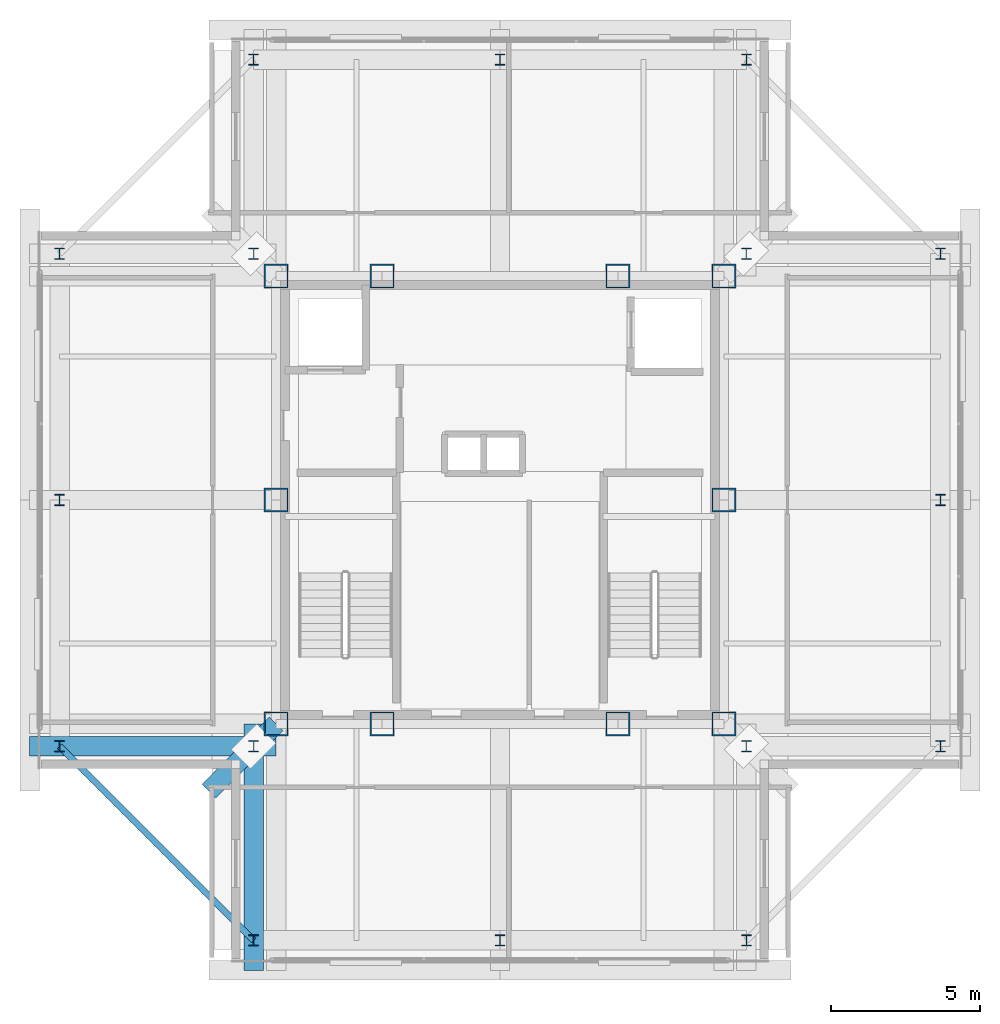
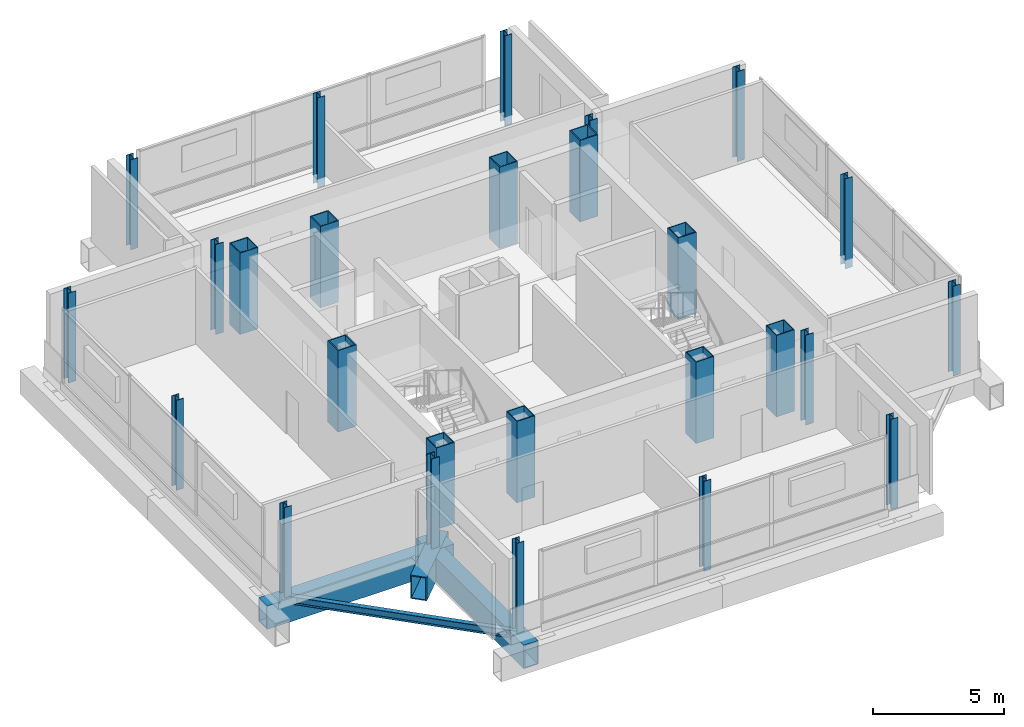
# One storey, part 1 of 10: 26 columns, 4 beams.
"""IFC4 building model written with IfcOpenShell, lengths in metres."""

from ifc_helpers import new_model, si_unit, direction, frame, origin, origin_2d, place, context, subcontext, project, spatial, hollow_rectangle, i_section, extrude, material, material_profile, profile_set, type_object, element, save


model = new_model("IFC4")

# Units and contexts
model_context = context("Model", 3, precision=1e-05, world=origin(), true_north=direction((0.0, 1.0)))
body_context = subcontext(model_context, "Body", "Model", "MODEL_VIEW")
ifc_project = project(units=[si_unit("LENGTHUNIT", "METRE"), si_unit("AREAUNIT", "SQUARE_METRE"), si_unit("VOLUMEUNIT", "CUBIC_METRE"), si_unit("PLANEANGLEUNIT", "RADIAN"), si_unit("MASSUNIT", "GRAM", prefix="KILO")], contexts=[model_context])

# Site, building, storey
site_placement = place(None, origin())
site = spatial("IfcSite", under=ifc_project, at=site_placement, CompositionType="ELEMENT")
building_placement = place(site_placement, origin())
building = spatial("IfcBuilding", under=site, at=building_placement, Name="Trevonay Congress Spire", CompositionType="ELEMENT")
storey_placement = place(building_placement, frame((0.0, 0.0, 316.0)))
storey = spatial("IfcBuildingStorey", under=building, at=storey_placement, Name="L83", CompositionType="ELEMENT", Elevation=316.0)

# Columns
ifc_material = material(Name="Steel ASTM A572 Grade 50", Category="steel")
ifc_material_profile_1 = material_profile(ifc_material, hollow_rectangle(XDim=0.800048828125, YDim=0.800048828125, WallThickness=0.0400390625, at=origin_2d()), Name="BOX 800x800x40")
ifc_profile_set_1 = profile_set([ifc_material_profile_1], Name="Steel ASTM A572 Grade 50")
column_type_1 = type_object("IfcColumnType", Name="COL-CORE-BOX800", PredefinedType="COLUMN", material=ifc_profile_set_1)
for number, where, z_axis, x_axis, name in (
    (1, (-7.5, -7.5, 0.0), (0.0, 0.0, 1.0), (1.0, 0.0, 0.0), "L83 column C05 at CC-SW"),
    (2, (-3.949951171875, -7.5, 0.0), (0.0, 0.0, 1.0), (1.0, 0.0, 0.0), "L83 column C05 at CC-SMW"),
    (3, (3.949951171875, -7.5, 0.0), (0.0, 0.0, 1.0), (1.0, 0.0, 0.0), "L83 column C05 at CC-SME"),
    (4, (7.5, -7.5, 0.0), (0.0, 0.0, 1.0), (1.0, 0.0, 0.0), "L83 column C05 at CC-SE"),
    (5, (7.5, 0.0, 0.0), (0.0, 0.0, 1.0), (1.0, 0.0, 0.0), "L83 column C05 at CC-E"),
    (6, (7.5, 7.5, 0.0), (0.0, 0.0, 1.0), (1.0, 0.0, 0.0), "L83 column C05 at CC-NE"),
    (7, (3.949951171875, 7.5, 0.0), (0.0, 0.0, 1.0), (1.0, 0.0, 0.0), "L83 column C05 at CC-NME"),
    (8, (-3.949951171875, 7.5, 0.0), (0.0, 0.0, 1.0), (1.0, 0.0, 0.0), "L83 column C05 at CC-NMW"),
    (9, (-7.5, 7.5, 0.0), (0.0, 0.0, 1.0), (1.0, 0.0, 0.0), "L83 column C05 at CC-NW"),
    (10, (-7.5, 0.0, 0.0), (0.0, 0.0, 1.0), (1.0, 0.0, 0.0), "L83 column C05 at CC-W"),
):
    element("IfcColumn", number, at=place(storey_placement, frame(where, z_axis=z_axis, x_axis=x_axis)), inside=storey, type_object=column_type_1, Name=name, PredefinedType="COLUMN", context=body_context, shape_type="SweptSolid", body=[
        extrude(hollow_rectangle(XDim=0.800048828125, YDim=0.800048828125, WallThickness=0.0400390625, at=origin_2d()), origin(), (0.0, 0.0, 1.0), 3.800048828125),
    ])
ifc_material_profile_2 = material_profile(ifc_material, i_section(OverallWidth=0.322021484375, OverallDepth=0.3720703125, WebThickness=0.014404296875, FlangeThickness=0.023681640625, FilletRadius=0.02001953125, at=origin_2d()), Name="W360x196")
ifc_profile_set_2 = profile_set([ifc_material_profile_2], Name="Steel ASTM A572 Grade 50")
column_type_2 = type_object("IfcColumnType", Name="COL-CROWN-W360X196", PredefinedType="COLUMN", material=ifc_profile_set_2)
for number, where, z_axis, x_axis, name in (
    (11, (-8.25, -14.75, -0.39990234375), (0.0, 0.0, 1.0), (1.0, 0.0, 0.0), "L83 column C18 at TS-1"),
    (12, (-8.25, 14.75, -0.39990234375), (0.0, 0.0, 1.0), (1.0, 0.0, 0.0), "L83 column C18 at TN-1"),
    (13, (-14.75, -8.25, -0.39990234375), (0.0, 0.0, 1.0), (1.0, 0.0, 0.0), "L83 column C18 at TW-1"),
    (14, (14.75, -8.25, -0.39990234375), (0.0, 0.0, 1.0), (1.0, 0.0, 0.0), "L83 column C18 at TE-1"),
    (15, (0.0, -14.75, -0.39990234375), (0.0, 0.0, 1.0), (1.0, 0.0, 0.0), "L83 column C18 at TS-2"),
    (16, (0.0, 14.75, -0.39990234375), (0.0, 0.0, 1.0), (1.0, 0.0, 0.0), "L83 column C18 at TN-2"),
    (17, (-14.75, 0.0, -0.39990234375), (0.0, 0.0, 1.0), (1.0, 0.0, 0.0), "L83 column C18 at TW-2"),
    (18, (14.75, 0.0, -0.39990234375), (0.0, 0.0, 1.0), (1.0, 0.0, 0.0), "L83 column C18 at TE-2"),
    (19, (8.25, -14.75, -0.39990234375), (0.0, 0.0, 1.0), (1.0, 0.0, 0.0), "L83 column C18 at TS-3"),
    (20, (8.25, 14.75, -0.39990234375), (0.0, 0.0, 1.0), (1.0, 0.0, 0.0), "L83 column C18 at TN-3"),
    (21, (-14.75, 8.25, -0.39990234375), (0.0, 0.0, 1.0), (1.0, 0.0, 0.0), "L83 column C18 at TW-3"),
    (22, (14.75, 8.25, -0.39990234375), (0.0, 0.0, 1.0), (1.0, 0.0, 0.0), "L83 column C18 at TE-3"),
):
    element("IfcColumn", number, at=place(storey_placement, frame(where, z_axis=z_axis, x_axis=x_axis)), inside=storey, type_object=column_type_2, Name=name, PredefinedType="COLUMN", context=body_context, shape_type="SweptSolid", body=[
        extrude(i_section(OverallWidth=0.322021484375, OverallDepth=0.3720703125, WebThickness=0.014404296875, FlangeThickness=0.023681640625, FilletRadius=0.02001953125, at=origin_2d()), origin(), (0.0, 0.0, 1.0), 4.199951171875),
    ])
ifc_material_profile_3 = material_profile(ifc_material, i_section(OverallWidth=0.340087890625, OverallDepth=0.39306640625, WebThickness=0.020263671875, FlangeThickness=0.033203125, FilletRadius=0.02001953125, at=origin_2d()), Name="W360x287")
ifc_profile_set_3 = profile_set([ifc_material_profile_3], Name="Steel ASTM A572 Grade 50")
column_type_3 = type_object("IfcColumnType", Name="COL-CROWN-W360X287", PredefinedType="COLUMN", material=ifc_profile_set_3)
for number, where, z_axis, x_axis, name in (
    (23, (-8.25, -8.25, -0.39990234375), (0.0, 0.0, 1.0), (1.0, 0.0, 0.0), "L83 column C20 at NC-SW"),
    (24, (8.25, -8.25, -0.39990234375), (0.0, 0.0, 1.0), (1.0, 0.0, 0.0), "L83 column C20 at NC-SE"),
    (25, (8.25, 8.25, -0.39990234375), (0.0, 0.0, 1.0), (1.0, 0.0, 0.0), "L83 column C20 at NC-NE"),
    (26, (-8.25, 8.25, -0.39990234375), (0.0, 0.0, 1.0), (1.0, 0.0, 0.0), "L83 column C20 at NC-NW"),
):
    element("IfcColumn", number, at=place(storey_placement, frame(where, z_axis=z_axis, x_axis=x_axis)), inside=storey, type_object=column_type_3, Name=name, PredefinedType="COLUMN", context=body_context, shape_type="SweptSolid", body=[
        extrude(i_section(OverallWidth=0.340087890625, OverallDepth=0.39306640625, WebThickness=0.020263671875, FlangeThickness=0.033203125, FilletRadius=0.02001953125, at=origin_2d()), origin(), (0.0, 0.0, 1.0), 4.199951171875),
    ])

# Beams
ifc_material_profile_4 = material_profile(ifc_material, hollow_rectangle(XDim=0.64990234375, YDim=1.10009765625, WallThickness=0.044921875, at=origin_2d()), Name="BOX 1100x650x45")
ifc_profile_set_4 = profile_set([ifc_material_profile_4], Name="Steel ASTM A572 Grade 50")
beam_type_1 = type_object("IfcBeamType", Name="BM-XFER-BOX1100", PredefinedType="BEAM", material=ifc_profile_set_4)
beam_1_placement = place(storey_placement, frame((-7.5, -7.5, -0.949951171875), z_axis=(-0.707106781187, -0.707106781187, 0.0), x_axis=(0.707106781187, -0.707106781187, 0.0)))
element("IfcBeam", 27, at=beam_1_placement, inside=storey, type_object=beam_type_1, Name="L83 structural beam BM-L83-CDSW", PredefinedType="BEAM", context=body_context, shape_type="SweptSolid", body=[
    extrude(hollow_rectangle(XDim=0.64990234375, YDim=1.10009765625, WallThickness=0.044921875, at=origin_2d()), origin(), (0.0, 0.0, 1.0), 3.181884765625),
])
for number, where, z_axis, x_axis, name in (
    (28, (-8.25, -7.5, -0.949951171875), (0.0, -1.0, 0.0), (1.0, 0.0, 0.0), "L83 structural beam XFER-L83-S0"),
    (29, (-7.5, -8.25, -0.949951171875), (-1.0, 0.0, 0.0), (0.0, -1.0, 0.0), "L83 structural beam XFER-L83-W0"),
):
    element("IfcBeam", number, at=place(storey_placement, frame(where, z_axis=z_axis, x_axis=x_axis)), inside=storey, type_object=beam_type_1, Name=name, PredefinedType="BEAM", context=body_context, shape_type="SweptSolid", body=[
        extrude(hollow_rectangle(XDim=0.64990234375, YDim=1.10009765625, WallThickness=0.044921875, at=origin_2d()), origin(), (0.0, 0.0, 1.0), 8.25),
    ])
ifc_material_profile_5 = material_profile(ifc_material, i_section(OverallWidth=0.205078125, OverallDepth=0.35400390625, WebThickness=0.009521484375, FlangeThickness=0.016845703125, FilletRadius=0.011962890625, at=origin_2d()), Name="W360x79")
ifc_profile_set_5 = profile_set([ifc_material_profile_5], Name="Steel ASTM A572 Grade 50")
beam_type_2 = type_object("IfcBeamType", Name="SPB-HSS350", PredefinedType="SPANDREL", material=ifc_profile_set_5)
beam_2_placement = place(storey_placement, frame((-8.25, -14.75, -0.576904296875), z_axis=(-0.707106781187, 0.707106781187, 0.0), x_axis=(-0.707106781187, -0.707106781187, 0.0)))
element("IfcBeam", 30, at=beam_2_placement, inside=storey, type_object=beam_type_2, Name="L83 structural beam SPB-L83-SW", PredefinedType="SPANDREL", context=body_context, shape_type="SweptSolid", body=[
    extrude(i_section(OverallWidth=0.205078125, OverallDepth=0.35400390625, WebThickness=0.009521484375, FlangeThickness=0.016845703125, FilletRadius=0.011962890625, at=origin_2d()), origin(), (0.0, 0.0, 1.0), 9.1923828125),
])

save(model, "model.ifc")
